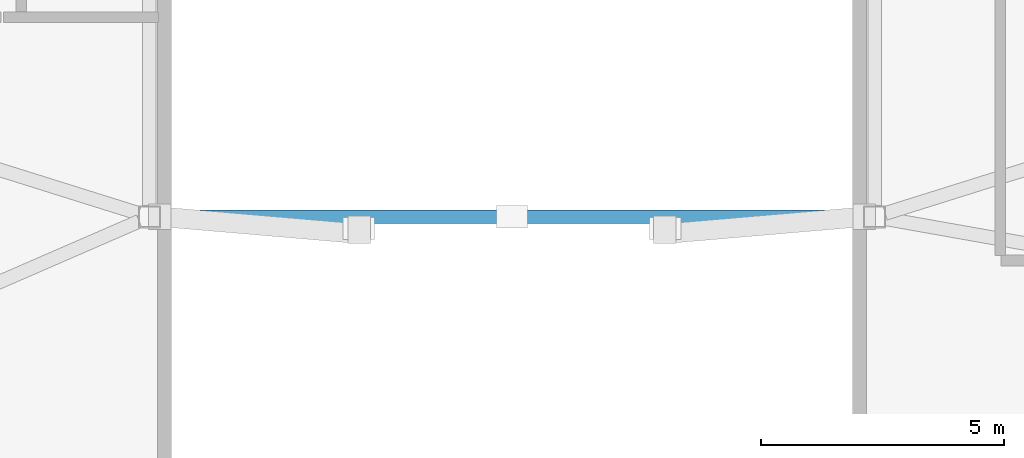
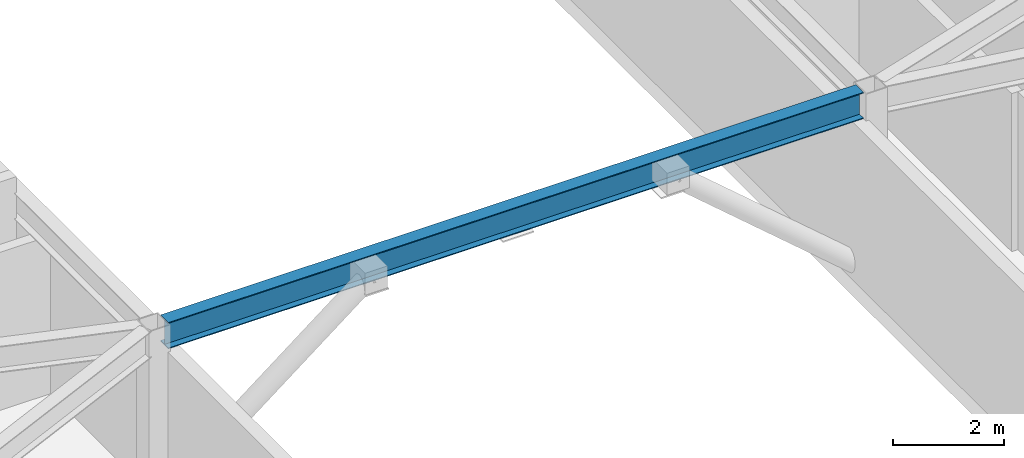
# One storey, part 4 of 16: 1 beam.
"""IFC4 building model written with IfcOpenShell, lengths in metres."""

from ifc_helpers import new_model, si_unit, direction, frame, origin, origin_2d, place, context, subcontext, project, spatial, i_section, extrude, material, material_profile, profile_set, type_object, element, save


model = new_model("IFC4")

# Units and contexts
model_context = context("Model", 3, precision=1e-05, world=origin(), true_north=direction((0.0, 1.0)))
body_context = subcontext(model_context, "Body", "Model", "MODEL_VIEW")
ifc_project = project(units=[si_unit("LENGTHUNIT", "METRE"), si_unit("AREAUNIT", "SQUARE_METRE"), si_unit("VOLUMEUNIT", "CUBIC_METRE"), si_unit("PLANEANGLEUNIT", "RADIAN"), si_unit("MASSUNIT", "GRAM", prefix="KILO")], contexts=[model_context])

# Site, building, storey
site_placement = place(None, origin())
site = spatial("IfcSite", under=ifc_project, at=site_placement, CompositionType="ELEMENT")
building_placement = place(site_placement, origin())
building = spatial("IfcBuilding", under=site, at=building_placement, Name="Zuhravey Tower", CompositionType="ELEMENT")
storey_placement = place(building_placement, frame((0.0, 0.0, 365.800048828125)))
storey = spatial("IfcBuildingStorey", under=building, at=storey_placement, Name="L93", CompositionType="ELEMENT", Elevation=365.800048828125)

# Beam
ifc_material = material(Name="Steel SM355", Category="steel")
ifc_material_profile = material_profile(ifc_material, i_section(OverallWidth=0.280029296875, OverallDepth=0.580078125, WebThickness=0.011962890625, FlangeThickness=0.01904296875, at=origin_2d()), Name="H-580x280x12x19")
ifc_profile_set = profile_set([ifc_material_profile], Name="Steel SM355")
beam_type = type_object("IfcBeamType", Name="Perimeter Ring Beam H580x280", PredefinedType="BEAM", material=ifc_profile_set)
beam_placement = place(storey_placement, frame((28.780029296875, 18.0, 3.7548828125), z_axis=(1.0, 0.0, 0.0), x_axis=(0.0, 1.0, 0.0)))
element("IfcBeam", 1, at=beam_placement, inside=storey, type_object=beam_type, Name="L93 Wind-Portal Tie Girder PB4-1", PredefinedType="BEAM", context=body_context, shape_type="SweptSolid", body=[
    extrude(i_section(OverallWidth=0.280029296875, OverallDepth=0.580078125, WebThickness=0.011962890625, FlangeThickness=0.01904296875, at=origin_2d()), origin(), (0.0, 0.0, 1.0), 14.43994140625),
])

save(model, "model.ifc")
